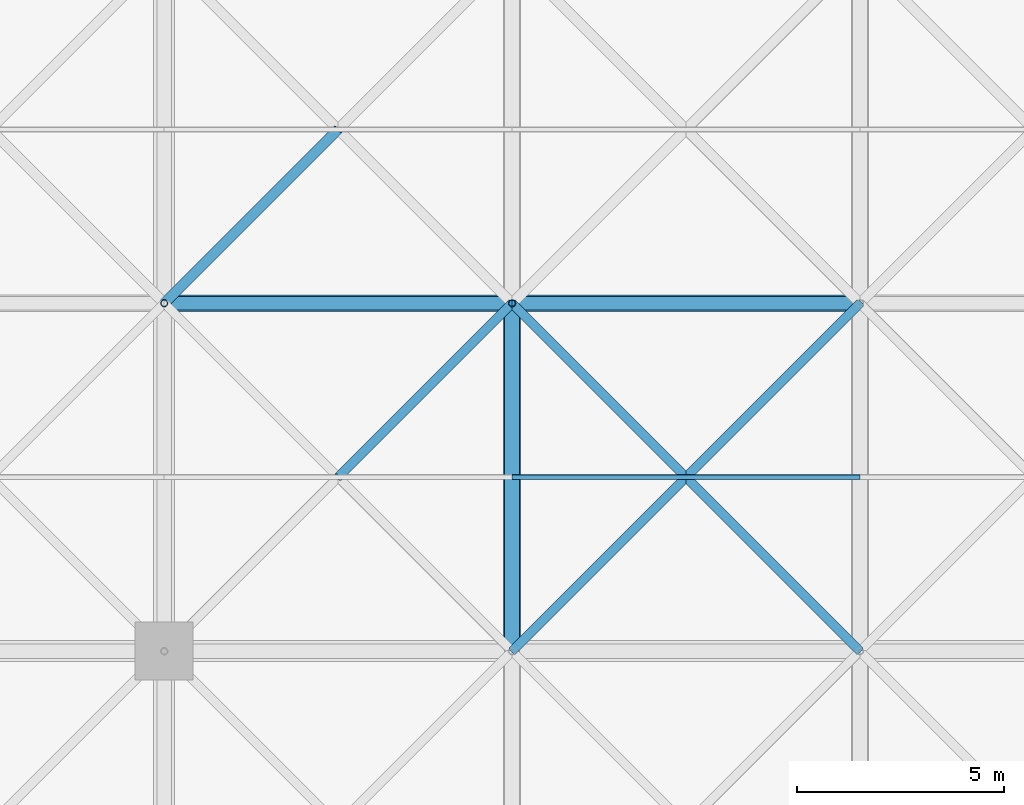
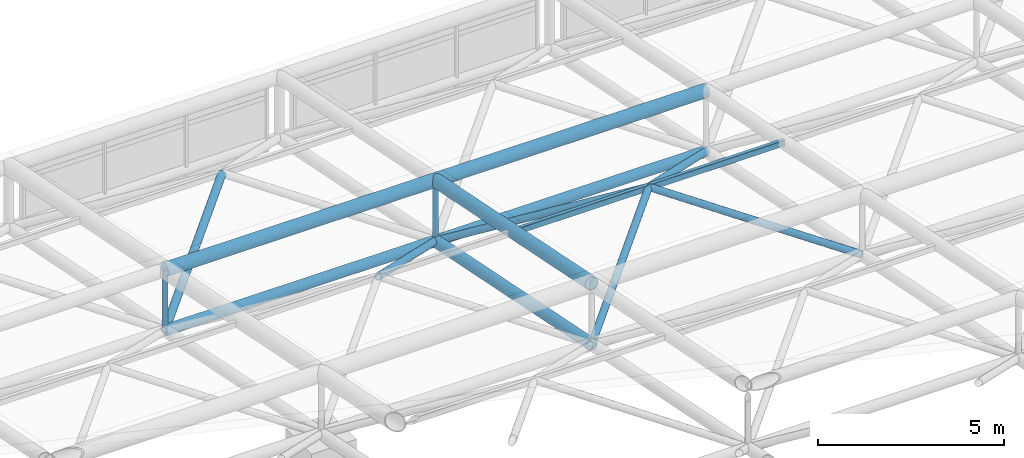
# One storey, part 49 of 81: 15 members.
"""IFC4 building model written with IfcOpenShell, lengths in metres."""

import ifcopenshell
import ifcopenshell.guid

model = None  # the IFC model being written
_history = None  # IfcOwnerHistory: only IFC2X3 demands one
_inside = {}  # id of a spatial element -> (the spatial element, [elements in it])
_under = {}  # id of a project, library or spatial element -> (it, [spatial elements below it])
_declared = {}  # id of a project -> (the project, [libraries it declares])
_typed = {}  # id of a type object -> (the type object, [elements of that type])
_made_of = {}  # id of a material, layer set ... -> (it, [elements and type objects made of it])


def new_model(schema):
    """Start an empty IFC model of exactly this schema.

    Asked for "IFC4X3", IfcOpenShell would pick the latest addendum, in which some entities
    have other attributes; the version numbers below select the first issue.
    IFC2X3 requires an IfcOwnerHistory on every rooted entity: one is made here for all.
    """
    global model, _history
    if schema == "IFC4X3":
        model = ifcopenshell.file(schema_version=(4, 3, 0, 0))
    else:
        model = ifcopenshell.file(schema=schema)
    _inside.clear()
    _under.clear()
    _declared.clear()
    _typed.clear()
    _made_of.clear()
    _history = None
    if model.schema == "IFC2X3":
        org = make("IfcOrganization", Name="unknown")
        user = make(
            "IfcPersonAndOrganization",
            ThePerson=make("IfcPerson", FamilyName="unknown"),
            TheOrganization=org,
        )
        app = make(
            "IfcApplication",
            ApplicationDeveloper=org,
            Version="unknown",
            ApplicationFullName="unknown",
            ApplicationIdentifier="unknown",
        )
        _history = make(
            "IfcOwnerHistory",
            OwningUser=user,
            OwningApplication=app,
            ChangeAction="ADDED",
            CreationDate=0,
        )
    return model


def make(cls, **values):
    """One entity of the class cls with the attributes given. An attribute that is None is left unset."""
    return model.create_entity(
        cls, **{name: value for name, value in values.items() if value is not None}
    )


def rooted(cls, **values):
    """An entity with a GlobalId (a new one), such as an element, a storey or a relation."""
    return make(cls, GlobalId=ifcopenshell.guid.new(), OwnerHistory=_history, **values)


def si_unit(unit_type, name, prefix=None):
    """IfcSIUnit, for example si_unit("LENGTHUNIT", "METRE", prefix="MILLI")."""
    return make("IfcSIUnit", UnitType=unit_type, Prefix=prefix, Name=name)


def assignment(units):
    """IfcUnitAssignment: the units of a project."""
    return None if units is None else make("IfcUnitAssignment", Units=units)


def point(xyz):
    """IfcCartesianPoint."""
    return None if xyz is None else make("IfcCartesianPoint", Coordinates=xyz)


def direction(xyz):
    """IfcDirection."""
    return None if xyz is None else make("IfcDirection", DirectionRatios=xyz)


def frame(location, z_axis=None, x_axis=None):
    """IfcAxis2Placement3D, a coordinate frame: its origin and axes. An axis left out is left unset."""
    return make(
        "IfcAxis2Placement3D",
        Location=point(location),
        Axis=direction(z_axis),
        RefDirection=direction(x_axis),
    )


def frame_2d(location, x_axis=None):
    """IfcAxis2Placement2D, a coordinate frame in the plane: its origin and x axis."""
    return make(
        "IfcAxis2Placement2D", Location=point(location), RefDirection=direction(x_axis)
    )


def origin():
    """The frame at (0, 0, 0) with its axes left unset."""
    return frame((0.0, 0.0, 0.0))


def origin_2d():
    """The frame at (0, 0) in the plane with its x axis left unset."""
    return frame_2d((0.0, 0.0))


def place(relative_to, where):
    """IfcLocalPlacement: puts the frame where relative to a parent placement (None: the world)."""
    return make(
        "IfcLocalPlacement", PlacementRelTo=relative_to, RelativePlacement=where
    )


def context(
    kind, dimensions, precision=None, world=None, true_north=None, identifier=None
):
    """IfcGeometricRepresentationContext, for example the 3D "Model" context."""
    return make(
        "IfcGeometricRepresentationContext",
        ContextIdentifier=identifier,
        ContextType=kind,
        CoordinateSpaceDimension=dimensions,
        Precision=precision,
        WorldCoordinateSystem=world,
        TrueNorth=true_north,
    )


def subcontext(parent, identifier, kind, view, scale=None):
    """IfcGeometricRepresentationSubContext, for example "Body" below "Model"."""
    return make(
        "IfcGeometricRepresentationSubContext",
        ContextIdentifier=identifier,
        ContextType=kind,
        ParentContext=parent,
        TargetScale=scale,
        TargetView=view,
    )


def project(units=None, contexts=None):
    """IfcProject with its units and contexts."""
    return rooted(
        "IfcProject",
        Name="project",
        RepresentationContexts=contexts,
        UnitsInContext=assignment(units),
    )


def spatial(cls, under=None, at=None, **own):
    """A site, building, storey or space (cls), placed at a placement, below another one or the project."""
    s = rooted(cls, ObjectPlacement=at, **own)
    if under is not None:
        _under.setdefault(under.id(), (under, []))[1].append(s)
    return s


def profile(cls, at=None, kind="AREA", **sizes):
    """A parametric profile (cls). Its sizes go by their IFC names, for example OverallWidth=200.0."""
    return make(cls, ProfileType=kind, Position=at, **sizes)


def hollow_rectangle(**sizes):
    """IfcRectangleHollowProfileDef."""
    return profile("IfcRectangleHollowProfileDef", **sizes)


def hollow_circle(**sizes):
    """IfcCircleHollowProfileDef."""
    return profile("IfcCircleHollowProfileDef", **sizes)


def extrude(swept, where, along, depth):
    """IfcExtrudedAreaSolid: the profile swept, set in the frame where, extruded along a direction by depth."""
    return make(
        "IfcExtrudedAreaSolid",
        SweptArea=swept,
        Position=where,
        ExtrudedDirection=direction(along),
        Depth=depth,
    )


def shape(context_of_items, identifier, shape_type, items):
    """IfcShapeRepresentation: the items that make up one representation, for example the "Body"."""
    return make(
        "IfcShapeRepresentation",
        ContextOfItems=context_of_items,
        RepresentationIdentifier=identifier,
        RepresentationType=shape_type,
        Items=items,
    )


def material(Name=None, Category=None):
    """IfcMaterial."""
    return make("IfcMaterial", Name=Name, Category=Category)


def material_profile(
    of_material, cross_section, Name=None, Category=None, Priority=None
):
    """IfcMaterialProfile: a cross section and its material."""
    return make(
        "IfcMaterialProfile",
        Name=Name,
        Material=of_material,
        Profile=cross_section,
        Priority=Priority,
        Category=Category,
    )


def profile_set(profiles, Name=None, composite=None):
    """IfcMaterialProfileSet."""
    return make(
        "IfcMaterialProfileSet",
        Name=Name,
        MaterialProfiles=profiles,
        CompositeProfile=composite,
    )


def made_of(thing, what):
    """Note that an element or type object is made of a material, layer set ...; save() writes the relation."""
    if what is not None:
        _made_of.setdefault(what.id(), (what, []))[1].append(thing)
    return thing


def type_object(cls, material=None, **own):
    """A type object (cls), such as IfcWallType, which elements share."""
    return made_of(rooted(cls, **own), material)


def element(
    cls,
    number,
    at=None,
    inside=None,
    cuts=None,
    type_object=None,
    material=None,
    context=None,
    identifier="Body",
    shape_type=None,
    held_by="IfcProductDefinitionShape",
    body=None,
    shapes=None,
    **own,
):
    """One element of the class cls, such as IfcWall. Its Tag is "e" and its number.

    at: its placement. inside: the storey or other place that contains it. cuts: it is an
    opening in that element (IfcRelVoidsElement). A single representation is given by context,
    identifier, shape_type and body (its items); several are given by shapes. held_by: the class
    of the entity that holds the representations. save() writes the other relations.
    """
    e = rooted(cls, Tag="e%d" % number, ObjectPlacement=at, **own)
    if body is not None:
        shapes = [shape(context, identifier, shape_type, body)]
    if shapes is not None:
        e.Representation = make(held_by, Representations=shapes)
    if inside is not None:
        _inside.setdefault(inside.id(), (inside, []))[1].append(e)
    if cuts is not None:
        rooted(
            "IfcRelVoidsElement", RelatingBuildingElement=cuts, RelatedOpeningElement=e
        )
    if type_object is not None:
        _typed.setdefault(type_object.id(), (type_object, []))[1].append(e)
    return made_of(e, material)


def aggregate(whole, parts):
    """IfcRelAggregates: a whole, such as a stair, and the parts it consists of."""
    return rooted("IfcRelAggregates", RelatingObject=whole, RelatedObjects=parts)


def save(model, path):
    """Write the relations noted so far, then the file.

    IfcRelAggregates (storeys below a building ...), IfcRelContainedInSpatialStructure (elements
    in a storey), IfcRelDefinesByType, IfcRelAssociatesMaterial and IfcRelDeclares: one each for
    every whole, place, type object, material and project.
    """
    for whole, parts in _under.values():
        aggregate(whole, parts)
    for where, things in _inside.values():
        rooted(
            "IfcRelContainedInSpatialStructure",
            RelatedElements=things,
            RelatingStructure=where,
        )
    for kind, things in _typed.values():
        rooted("IfcRelDefinesByType", RelatedObjects=things, RelatingType=kind)
    for what, things in _made_of.values():
        rooted("IfcRelAssociatesMaterial", RelatedObjects=things, RelatingMaterial=what)
    for by, libraries in _declared.values():
        rooted("IfcRelDeclares", RelatingContext=by, RelatedDefinitions=libraries)
    model.write(path)


model = new_model("IFC4")

# Units and contexts
model_context = context("Model", 3, precision=1e-05, world=origin(), true_north=direction((0.0, 1.0)))
body_context = subcontext(model_context, "Body", "Model", "MODEL_VIEW")
ifc_project = project(units=[si_unit("LENGTHUNIT", "METRE"), si_unit("AREAUNIT", "SQUARE_METRE"), si_unit("VOLUMEUNIT", "CUBIC_METRE"), si_unit("PLANEANGLEUNIT", "RADIAN"), si_unit("MASSUNIT", "GRAM", prefix="KILO")], contexts=[model_context])

# Site, building, storey
site_placement = place(None, origin())
site = spatial("IfcSite", under=ifc_project, at=site_placement, CompositionType="ELEMENT")
building_placement = place(site_placement, origin())
building = spatial("IfcBuilding", under=site, at=building_placement, Name="Qawsi Khor Wholesale Market", CompositionType="ELEMENT")
storey_placement = place(building_placement, frame((0.0, 0.0, 16.199951171875)))
storey = spatial("IfcBuildingStorey", under=building, at=storey_placement, Name="L03", CompositionType="ELEMENT", Elevation=16.199951171875)

# Members
ifc_material = material(Name="Steel S355", Category="steel")
ifc_material_profile_1 = material_profile(ifc_material, hollow_circle(Radius=0.177734375, WallThickness=0.01611328125, at=origin_2d()), Name="CHS 355.6x16.0")
ifc_profile_set_1 = profile_set([ifc_material_profile_1], Name="Steel S355")
member_type_1 = type_object("IfcMemberType", Name="Space-Frame Bottom Chord CHS 355.6x16.0", PredefinedType="CHORD", material=ifc_profile_set_1)
member_1_placement = place(storey_placement, frame((25.199951171875, 92.39990234375, 3.3701171875), z_axis=(0.0, 0.98013111127, -0.198350711418), x_axis=(-1.0, 0.0, 0.0)))
element("IfcMember", 1, at=member_1_placement, inside=storey, type_object=member_type_1, Name="Space frame bottom chord Y WH (3,11)", PredefinedType="CHORD", context=body_context, shape_type="SweptSolid", body=[
    extrude(hollow_circle(Radius=0.177734375, WallThickness=0.01611328125, at=origin_2d()), origin(), (0.0, 0.0, 1.0), 8.5703125),
])
ifc_material_profile_2 = material_profile(ifc_material, hollow_circle(Radius=0.122314453125, WallThickness=0.012451171875, at=origin_2d()), Name="CHS 244.5x12.5")
ifc_profile_set_2 = profile_set([ifc_material_profile_2], Name="Steel S355")
member_type_2 = type_object("IfcMemberType", Name="Space-Frame Heavy Diagonal CHS 244.5x12.5", PredefinedType="POST", material=ifc_profile_set_2)
member_2_placement = place(storey_placement, frame((16.800048828125, 100.800048828125, 1.670166015625), z_axis=(0.694216714393, 0.694216714393, 0.190069216113), x_axis=(-0.707106781187, 0.707106781187, 0.0)))
element("IfcMember", 2, at=member_2_placement, inside=storey, type_object=member_type_2, Name="Space frame diagonal WH (2,12)-1", PredefinedType="POST", context=body_context, shape_type="SweptSolid", body=[
    extrude(hollow_circle(Radius=0.122314453125, WallThickness=0.012451171875, at=origin_2d()), origin(), (0.0, 0.0, 1.0), 6.0498046875),
])
ifc_material_profile_3 = material_profile(ifc_material, hollow_rectangle(XDim=0.1201171875, YDim=0.199951171875, WallThickness=0.008056640625, InnerFilletRadius=0.008056640625, OuterFilletRadius=0.01611328125, at=origin_2d()), Name="RHS 200x120x8.0")
ifc_profile_set_3 = profile_set([ifc_material_profile_3], Name="Steel S355")
member_type_3 = type_object("IfcMemberType", Name="Space-Frame Heavy Purlin RHS 200x120x8.0", PredefinedType="PURLIN", material=ifc_profile_set_3)
member_3_placement = place(storey_placement, frame((25.199951171875, 96.60009765625, 4.52001953125), z_axis=(1.0, 0.0, 0.0), x_axis=(0.0, 1.0, 0.0)))
element("IfcMember", 3, at=member_3_placement, inside=storey, type_object=member_type_3, Name="Space frame purlin WH (3,11)", PredefinedType="PURLIN", context=body_context, shape_type="SweptSolid", body=[
    extrude(hollow_rectangle(XDim=0.1201171875, YDim=0.199951171875, WallThickness=0.008056640625, InnerFilletRadius=0.008056640625, OuterFilletRadius=0.01611328125, at=origin_2d()), origin(), (0.0, 0.0, 1.0), 8.400146484375),
])
ifc_material_profile_4 = material_profile(ifc_material, hollow_circle(Radius=0.109619140625, WallThickness=0.010009765625, at=origin_2d()), Name="CHS 219.1x10.0")
ifc_profile_set_4 = profile_set([ifc_material_profile_4], Name="Steel S355")
member_type_4 = type_object("IfcMemberType", Name="Space-Frame Inner Diagonal CHS 219.1x10.0", PredefinedType="RAFTER", material=ifc_profile_set_4)
member_4_placement = place(storey_placement, frame((25.199951171875, 100.800048828125, 1.670166015625), z_axis=(-0.637521961484, -0.637521961484, 0.432586982294), x_axis=(0.707106781187, -0.707106781187, 0.0)))
element("IfcMember", 4, at=member_4_placement, inside=storey, type_object=member_type_4, Name="Space frame diagonal WH (2,11)-3", PredefinedType="RAFTER", context=body_context, shape_type="SweptSolid", body=[
    extrude(hollow_circle(Radius=0.109619140625, WallThickness=0.010009765625, at=origin_2d()), origin(), (0.0, 0.0, 1.0), 6.587890625),
])
member_5_placement = place(storey_placement, frame((25.199951171875, 92.39990234375, 3.3701171875), z_axis=(0.694197266374, 0.694237619642, 0.19006389145), x_axis=(-0.707127332136, 0.70708622964, 0.0)))
element("IfcMember", 5, at=member_5_placement, inside=storey, type_object=member_type_4, Name="Space frame diagonal WH (3,11)-1", PredefinedType="RAFTER", context=body_context, shape_type="SweptSolid", body=[
    extrude(hollow_circle(Radius=0.109619140625, WallThickness=0.010009765625, at=origin_2d()), origin(), (0.0, 0.0, 1.0), 6.050048828125),
])
member_6_placement = place(storey_placement, frame((33.60009765625, 92.39990234375, 3.3701171875), z_axis=(-0.694218172126, 0.694218172126, 0.190058567235), x_axis=(-0.707106781187, -0.707106781187, 0.0)))
element("IfcMember", 6, at=member_6_placement, inside=storey, type_object=member_type_4, Name="Space frame diagonal WH (3,11)-2", PredefinedType="RAFTER", context=body_context, shape_type="SweptSolid", body=[
    extrude(hollow_circle(Radius=0.109619140625, WallThickness=0.010009765625, at=origin_2d()), origin(), (0.0, 0.0, 1.0), 6.05029296875),
])
member_7_placement = place(storey_placement, frame((33.60009765625, 100.800048828125, 1.670166015625), z_axis=(-0.637543957519, -0.637506899628, 0.432576762155), x_axis=(0.70708622964, -0.707127332136, 0.0)))
element("IfcMember", 7, at=member_7_placement, inside=storey, type_object=member_type_4, Name="Space frame diagonal WH (3,11)-3", PredefinedType="RAFTER", context=body_context, shape_type="SweptSolid", body=[
    extrude(hollow_circle(Radius=0.109619140625, WallThickness=0.010009765625, at=origin_2d()), origin(), (0.0, 0.0, 1.0), 6.588134765625),
])
member_8_placement = place(storey_placement, frame((25.199951171875, 100.800048828125, 1.670166015625), z_axis=(0.637521961484, -0.637521961484, 0.432586982294), x_axis=(0.707106781187, 0.707106781187, 0.0)))
element("IfcMember", 8, at=member_8_placement, inside=storey, type_object=member_type_4, Name="Space frame diagonal WH (3,11)-4", PredefinedType="RAFTER", context=body_context, shape_type="SweptSolid", body=[
    extrude(hollow_circle(Radius=0.109619140625, WallThickness=0.010009765625, at=origin_2d()), origin(), (0.0, 0.0, 1.0), 6.587890625),
])
ifc_material_profile_5 = material_profile(ifc_material, hollow_circle(Radius=0.161865234375, WallThickness=0.01611328125, at=origin_2d()), Name="CHS 323.9x16.0")
ifc_profile_set_5 = profile_set([ifc_material_profile_5], Name="Steel S355")
member_type_5 = type_object("IfcMemberType", Name="Space-Frame Secondary Chord CHS 323.9x16.0", PredefinedType="CHORD", material=ifc_profile_set_5)
member_9_placement = place(storey_placement, frame((16.800048828125, 100.800048828125, 1.670166015625), z_axis=(1.0, 0.0, 0.0), x_axis=(0.0, 1.0, 0.0)))
element("IfcMember", 9, at=member_9_placement, inside=storey, type_object=member_type_5, Name="Space frame bottom chord X WH (2,12)", PredefinedType="CHORD", context=body_context, shape_type="SweptSolid", body=[
    extrude(hollow_circle(Radius=0.161865234375, WallThickness=0.01611328125, at=origin_2d()), origin(), (0.0, 0.0, 1.0), 8.39990234375),
])
member_10_placement = place(storey_placement, frame((25.199951171875, 100.800048828125, 1.670166015625), z_axis=(1.0, 0.0, 0.0), x_axis=(0.0, 1.0, 0.0)))
element("IfcMember", 10, at=member_10_placement, inside=storey, type_object=member_type_5, Name="Space frame bottom chord X WH (3,12)", PredefinedType="CHORD", context=body_context, shape_type="SweptSolid", body=[
    extrude(hollow_circle(Radius=0.161865234375, WallThickness=0.01611328125, at=origin_2d()), origin(), (0.0, 0.0, 1.0), 8.400146484375),
])
ifc_material_profile_6 = material_profile(ifc_material, hollow_circle(Radius=0.203125, WallThickness=0.02001953125, at=origin_2d()), Name="CHS 406.4x20.0")
ifc_profile_set_6 = profile_set([ifc_material_profile_6], Name="Steel S355")
member_type_6 = type_object("IfcMemberType", Name="Space-Frame Top Chord CHS 406.4x20.0", PredefinedType="CHORD", material=ifc_profile_set_6)
member_11_placement = place(storey_placement, frame((16.800048828125, 100.800048828125, 3.670166015625), z_axis=(1.0, 0.0, 0.0), x_axis=(0.0, 1.0, 0.0)))
element("IfcMember", 11, at=member_11_placement, inside=storey, type_object=member_type_6, Name="Space frame top chord X WH (2,12)", PredefinedType="CHORD", context=body_context, shape_type="SweptSolid", body=[
    extrude(hollow_circle(Radius=0.203125, WallThickness=0.02001953125, at=origin_2d()), origin(), (0.0, 0.0, 1.0), 8.39990234375),
])
member_12_placement = place(storey_placement, frame((25.199951171875, 92.39990234375, 5.3701171875), z_axis=(0.0, 0.98013111127, -0.198350711418), x_axis=(-1.0, 0.0, 0.0)))
element("IfcMember", 12, at=member_12_placement, inside=storey, type_object=member_type_6, Name="Space frame top chord Y WH (3,11)", PredefinedType="CHORD", context=body_context, shape_type="SweptSolid", body=[
    extrude(hollow_circle(Radius=0.203125, WallThickness=0.02001953125, at=origin_2d()), origin(), (0.0, 0.0, 1.0), 8.5703125),
])
member_13_placement = place(storey_placement, frame((25.199951171875, 100.800048828125, 3.670166015625), z_axis=(1.0, 0.0, 0.0), x_axis=(0.0, 1.0, 0.0)))
element("IfcMember", 13, at=member_13_placement, inside=storey, type_object=member_type_6, Name="Space frame top chord X WH (3,12)", PredefinedType="CHORD", context=body_context, shape_type="SweptSolid", body=[
    extrude(hollow_circle(Radius=0.203125, WallThickness=0.02001953125, at=origin_2d()), origin(), (0.0, 0.0, 1.0), 8.400146484375),
])
ifc_material_profile_7 = material_profile(ifc_material, hollow_circle(Radius=0.084228515625, WallThickness=0.008056640625, at=origin_2d()), Name="CHS 168.3x8.0")
ifc_profile_set_7 = profile_set([ifc_material_profile_7], Name="Steel S355")
member_type_7 = type_object("IfcMemberType", Name="Space-Frame Vertical Strut CHS 168.3x8.0", PredefinedType="STRUT", material=ifc_profile_set_7)
for number, where, z_axis, x_axis, name in (
    (14, (16.800048828125, 100.800048828125, 1.670166015625), (0.0, 0.0, 1.0), (1.0, 0.0, 0.0), "Space frame post WH (2,12)"),
    (15, (25.199951171875, 100.800048828125, 1.670166015625), (0.0, 0.0, 1.0), (1.0, 0.0, 0.0), "Space frame post WH (3,12)"),
):
    element("IfcMember", number, at=place(storey_placement, frame(where, z_axis=z_axis, x_axis=x_axis)), inside=storey, type_object=member_type_7, Name=name, PredefinedType="STRUT", context=body_context, shape_type="SweptSolid", body=[
        extrude(hollow_circle(Radius=0.084228515625, WallThickness=0.008056640625, at=origin_2d()), origin(), (0.0, 0.0, 1.0), 2.0),
    ])

save(model, "model.ifc")
